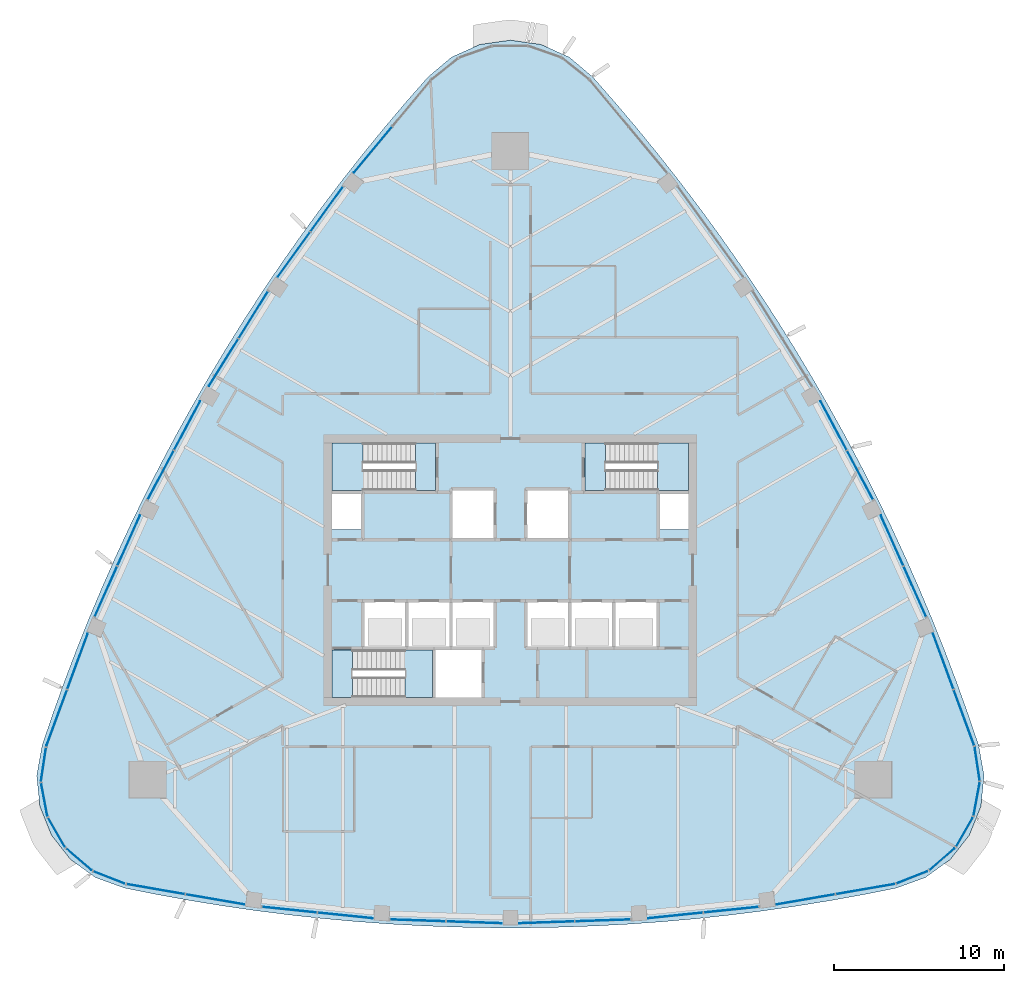
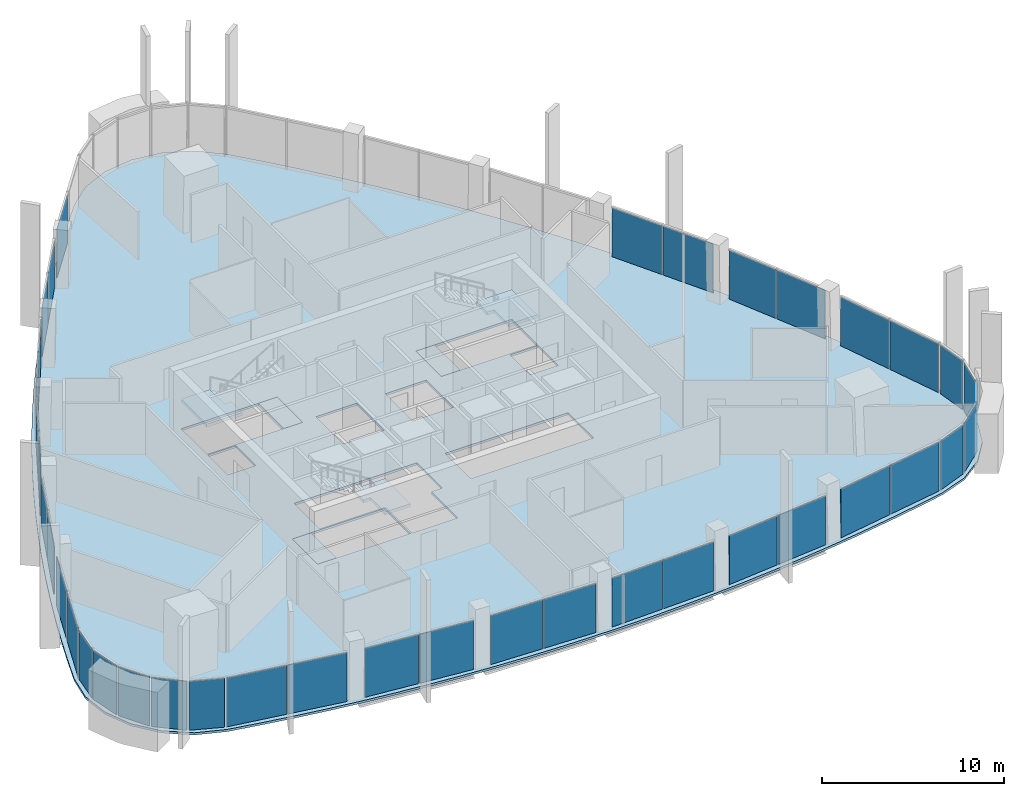
# One storey, part 7 of 18: 39 plates, 7 slabs, 28 elements without a shape of their own.
"""IFC4 building model written with IfcOpenShell, lengths in metres."""

from ifc_helpers import new_model, si_unit, direction, frame, origin, origin_2d, place, context, subcontext, project, spatial, polyline, rectangle, outline, extrude, material, layer, layer_set, type_object, element, aggregate, save


model = new_model("IFC4")

# Units and contexts
model_context = context("Model", 3, precision=1e-05, world=origin(), true_north=direction((0.0, 1.0)))
body_context = subcontext(model_context, "Body", "Model", "MODEL_VIEW")
ifc_project = project(units=[si_unit("LENGTHUNIT", "METRE"), si_unit("AREAUNIT", "SQUARE_METRE"), si_unit("VOLUMEUNIT", "CUBIC_METRE"), si_unit("PLANEANGLEUNIT", "RADIAN"), si_unit("MASSUNIT", "GRAM", prefix="KILO")], contexts=[model_context])

# Site, building, storey
site_placement = place(None, origin())
site = spatial("IfcSite", under=ifc_project, at=site_placement, CompositionType="ELEMENT")
building_placement = place(site_placement, origin())
building = spatial("IfcBuilding", under=site, at=building_placement, Name="Sierra Prisma Convention Tower", CompositionType="ELEMENT")
storey_placement = place(building_placement, frame((0.0, 0.0, 263.0)))
storey = spatial("IfcBuildingStorey", under=building, at=storey_placement, Name="L59", CompositionType="ELEMENT", Elevation=263.0)

# Curtain wall, plates
ifc_material_1 = material(Name="Aluminium and glass curtain wall", Category="aluminium")
ifc_layer_1 = layer(ifc_material_1, 0.179931640625)
ifc_layer_set_1 = layer_set([ifc_layer_1], Name="CW-1 Plain shaft curtain wall")
curtain_wall_type = type_object("IfcCurtainWallType", Name="CW-1 Plain shaft curtain wall", PredefinedType="NOTDEFINED", material=ifc_layer_set_1)
curtain_wall_1_placement = place(storey_placement, origin())
curtain_wall_1 = element("IfcCurtainWall", 1, at=curtain_wall_1_placement, inside=storey, type_object=curtain_wall_type, Name="CW-1 S1 L59", PredefinedType="NOTDEFINED")
ifc_material_2 = material(Name="Tinted glass bronze-grey IGU", Category="glass")
ifc_layer_2 = layer(ifc_material_2, 0.028076171875)
ifc_layer_set_2 = layer_set([ifc_layer_2], Name="CW-1 glass panel")
plate_type = type_object("IfcPlateType", Name="CW-1 glass panel", PredefinedType="CURTAIN_PANEL", material=ifc_layer_set_2)
plate_1_placement = place(storey_placement, frame((-20.897705078125, -18.796142578125, 0.0), z_axis=(0.0, 0.0, 1.0), x_axis=(0.985364429232, -0.170460967981, 0.0)))
plate_1 = element("IfcPlate", 2, at=plate_1_placement, type_object=plate_type, Name="CW-1 panel S1.1", PredefinedType="CURTAIN_PANEL", context=body_context, shape_type="SweptSolid", body=[
    extrude(rectangle(XDim=3.475830078125, YDim=0.028076171875, at=origin_2d()), origin(), (0.0, 0.0, 1.0), 3.280029296875),
])
plate_2_placement = place(storey_placement, frame((-17.403564453125, -19.400634765625, 0.0), z_axis=(0.0, 0.0, 1.0), x_axis=(0.985364429232, -0.170460967981, 0.0)))
plate_2 = element("IfcPlate", 3, at=plate_2_placement, type_object=plate_type, Name="CW-1 panel S1.2", PredefinedType="CURTAIN_PANEL", context=body_context, shape_type="SweptSolid", body=[
    extrude(rectangle(XDim=3.475830078125, YDim=0.028076171875, at=origin_2d()), origin(), (0.0, 0.0, 1.0), 3.280029296875),
])
aggregate(curtain_wall_1, [plate_1, plate_2])

curtain_wall_2_placement = place(storey_placement, origin())
curtain_wall_2 = element("IfcCurtainWall", 4, at=curtain_wall_2_placement, inside=storey, type_object=curtain_wall_type, Name="CW-1 S2 L59", PredefinedType="NOTDEFINED")
plate_3_placement = place(storey_placement, frame((-13.011962890625, -20.009033203125, 0.0), z_axis=(0.0, 0.0, 1.0), x_axis=(0.994722939901, -0.102597625871, 0.0)))
plate_3 = element("IfcPlate", 5, at=plate_3_placement, type_object=plate_type, Name="CW-1 panel S2.1", PredefinedType="CURTAIN_PANEL", context=body_context, shape_type="SweptSolid", body=[
    extrude(rectangle(XDim=3.22900390625, YDim=0.028076171875, at=origin_2d()), origin(), (0.0, 0.0, 1.0), 3.280029296875),
])
plate_4_placement = place(storey_placement, frame((-9.73046875, -20.347412109375, 0.0), z_axis=(0.0, 0.0, 1.0), x_axis=(0.994722939901, -0.102597625871, 0.0)))
plate_4 = element("IfcPlate", 6, at=plate_4_placement, type_object=plate_type, Name="CW-1 panel S2.2", PredefinedType="CURTAIN_PANEL", context=body_context, shape_type="SweptSolid", body=[
    extrude(rectangle(XDim=3.22900390625, YDim=0.028076171875, at=origin_2d()), origin(), (0.0, 0.0, 1.0), 3.280029296875),
])
aggregate(curtain_wall_2, [plate_3, plate_4])

curtain_wall_3_placement = place(storey_placement, origin())
curtain_wall_3 = element("IfcCurtainWall", 7, at=curtain_wall_3_placement, inside=storey, type_object=curtain_wall_type, Name="CW-1 S3 L59", PredefinedType="NOTDEFINED")
plate_5_placement = place(storey_placement, frame((-5.453857421875, -20.64013671875, 0.0), z_axis=(0.0, 0.0, 1.0), x_axis=(0.999413200968, -0.034252791572, 0.0)))
plate_5 = element("IfcPlate", 8, at=plate_5_placement, type_object=plate_type, Name="CW-1 panel S3.1", PredefinedType="CURTAIN_PANEL", context=body_context, shape_type="SweptSolid", body=[
    extrude(rectangle(XDim=3.24462890625, YDim=0.028076171875, at=origin_2d()), origin(), (0.0, 0.0, 1.0), 3.280029296875),
])
plate_6_placement = place(storey_placement, frame((-2.14111328125, -20.753662109375, 0.0), z_axis=(0.0, 0.0, 1.0), x_axis=(0.999413200968, -0.034252791572, 0.0)))
plate_6 = element("IfcPlate", 9, at=plate_6_placement, type_object=plate_type, Name="CW-1 panel S3.2", PredefinedType="CURTAIN_PANEL", context=body_context, shape_type="SweptSolid", body=[
    extrude(rectangle(XDim=3.24462890625, YDim=0.028076171875, at=origin_2d()), origin(), (0.0, 0.0, 1.0), 3.280029296875),
])
aggregate(curtain_wall_3, [plate_5, plate_6])

curtain_wall_4_placement = place(storey_placement, origin())
curtain_wall_4 = element("IfcCurtainWall", 10, at=curtain_wall_4_placement, inside=storey, type_object=curtain_wall_type, Name="CW-1 S4 L59", PredefinedType="NOTDEFINED")
plate_7_placement = place(storey_placement, frame((2.14111328125, -20.753662109375, 0.0), z_axis=(0.0, 0.0, 1.0), x_axis=(0.999413200968, 0.034252791572, 0.0)))
plate_7 = element("IfcPlate", 11, at=plate_7_placement, type_object=plate_type, Name="CW-1 panel S4.1", PredefinedType="CURTAIN_PANEL", context=body_context, shape_type="SweptSolid", body=[
    extrude(rectangle(XDim=3.24462890625, YDim=0.028076171875, at=origin_2d()), origin(), (0.0, 0.0, 1.0), 3.280029296875),
])
plate_8_placement = place(storey_placement, frame((5.453857421875, -20.64013671875, 0.0), z_axis=(0.0, 0.0, 1.0), x_axis=(0.999413200968, 0.034252791572, 0.0)))
plate_8 = element("IfcPlate", 12, at=plate_8_placement, type_object=plate_type, Name="CW-1 panel S4.2", PredefinedType="CURTAIN_PANEL", context=body_context, shape_type="SweptSolid", body=[
    extrude(rectangle(XDim=3.24462890625, YDim=0.028076171875, at=origin_2d()), origin(), (0.0, 0.0, 1.0), 3.280029296875),
])
aggregate(curtain_wall_4, [plate_7, plate_8])

curtain_wall_5_placement = place(storey_placement, origin())
curtain_wall_5 = element("IfcCurtainWall", 13, at=curtain_wall_5_placement, inside=storey, type_object=curtain_wall_type, Name="CW-1 S5 L59", PredefinedType="NOTDEFINED")
plate_9_placement = place(storey_placement, frame((9.73046875, -20.347412109375, 0.0), z_axis=(0.0, 0.0, 1.0), x_axis=(0.994722939901, 0.102597625871, 0.0)))
plate_9 = element("IfcPlate", 14, at=plate_9_placement, type_object=plate_type, Name="CW-1 panel S5.1", PredefinedType="CURTAIN_PANEL", context=body_context, shape_type="SweptSolid", body=[
    extrude(rectangle(XDim=3.22900390625, YDim=0.028076171875, at=origin_2d()), origin(), (0.0, 0.0, 1.0), 3.280029296875),
])
plate_10_placement = place(storey_placement, frame((13.011962890625, -20.009033203125, 0.0), z_axis=(0.0, 0.0, 1.0), x_axis=(0.994722939901, 0.102597625871, 0.0)))
plate_10 = element("IfcPlate", 15, at=plate_10_placement, type_object=plate_type, Name="CW-1 panel S5.2", PredefinedType="CURTAIN_PANEL", context=body_context, shape_type="SweptSolid", body=[
    extrude(rectangle(XDim=3.22900390625, YDim=0.028076171875, at=origin_2d()), origin(), (0.0, 0.0, 1.0), 3.280029296875),
])
aggregate(curtain_wall_5, [plate_9, plate_10])

curtain_wall_6_placement = place(storey_placement, origin())
curtain_wall_6 = element("IfcCurtainWall", 16, at=curtain_wall_6_placement, inside=storey, type_object=curtain_wall_type, Name="CW-1 S6 L59", PredefinedType="NOTDEFINED")
plate_11_placement = place(storey_placement, frame((17.403564453125, -19.400634765625, 0.0), z_axis=(0.0, 0.0, 1.0), x_axis=(0.985364429232, 0.170460967981, 0.0)))
plate_11 = element("IfcPlate", 17, at=plate_11_placement, type_object=plate_type, Name="CW-1 panel S6.1", PredefinedType="CURTAIN_PANEL", context=body_context, shape_type="SweptSolid", body=[
    extrude(rectangle(XDim=3.475830078125, YDim=0.028076171875, at=origin_2d()), origin(), (0.0, 0.0, 1.0), 3.280029296875),
])
plate_12_placement = place(storey_placement, frame((20.897705078125, -18.796142578125, 0.0), z_axis=(0.0, 0.0, 1.0), x_axis=(0.985364429232, 0.170460967981, 0.0)))
plate_12 = element("IfcPlate", 18, at=plate_12_placement, type_object=plate_type, Name="CW-1 panel S6.2", PredefinedType="CURTAIN_PANEL", context=body_context, shape_type="SweptSolid", body=[
    extrude(rectangle(XDim=3.475830078125, YDim=0.028076171875, at=origin_2d()), origin(), (0.0, 0.0, 1.0), 3.280029296875),
])
aggregate(curtain_wall_6, [plate_11, plate_12])

# Curtain wall, plate
curtain_wall_7_placement = place(storey_placement, origin())
curtain_wall_7 = element("IfcCurtainWall", 19, at=curtain_wall_7_placement, inside=storey, type_object=curtain_wall_type, Name="CW-1 SE1 L59", PredefinedType="NOTDEFINED")
plate_13_placement = place(storey_placement, frame((23.656005859375, -18.104736328125, 0.0), z_axis=(0.0, 0.0, 1.0), x_axis=(0.930915409313, 0.365234856913, 0.0)))
plate_13 = element("IfcPlate", 20, at=plate_13_placement, type_object=plate_type, Name="CW-1 panel SE1.1", PredefinedType="CURTAIN_PANEL", context=body_context, shape_type="SweptSolid", body=[
    extrude(rectangle(XDim=1.958984375, YDim=0.028076171875, at=origin_2d()), origin(), (0.0, 0.0, 1.0), 3.280029296875),
])
aggregate(curtain_wall_7, [plate_13])

curtain_wall_8_placement = place(storey_placement, origin())
curtain_wall_8 = element("IfcCurtainWall", 21, at=curtain_wall_8_placement, inside=storey, type_object=curtain_wall_type, Name="CW-1 SE2 L59", PredefinedType="NOTDEFINED")
plate_14_placement = place(storey_placement, frame((25.428466796875, -17.036865234375, 0.0), z_axis=(0.0, 0.0, 1.0), x_axis=(0.758008918232, 0.652244187311, 0.0)))
plate_14 = element("IfcPlate", 22, at=plate_14_placement, type_object=plate_type, Name="CW-1 panel SE2.1", PredefinedType="CURTAIN_PANEL", context=body_context, shape_type="SweptSolid", body=[
    extrude(rectangle(XDim=1.958984375, YDim=0.028076171875, at=origin_2d()), origin(), (0.0, 0.0, 1.0), 3.280029296875),
])
aggregate(curtain_wall_8, [plate_14])

curtain_wall_9_placement = place(storey_placement, origin())
curtain_wall_9 = element("IfcCurtainWall", 23, at=curtain_wall_9_placement, inside=storey, type_object=curtain_wall_type, Name="CW-1 SE3 L59", PredefinedType="NOTDEFINED")
plate_15_placement = place(storey_placement, frame((26.748779296875, -15.443359375, 0.0), z_axis=(0.0, 0.0, 1.0), x_axis=(0.5, 0.866025403784, 0.0)))
plate_15 = element("IfcPlate", 24, at=plate_15_placement, type_object=plate_type, Name="CW-1 panel SE3.1", PredefinedType="CURTAIN_PANEL", context=body_context, shape_type="SweptSolid", body=[
    extrude(rectangle(XDim=1.958984375, YDim=0.028076171875, at=origin_2d()), origin(), (0.0, 0.0, 1.0), 3.280029296875),
])
aggregate(curtain_wall_9, [plate_15])

curtain_wall_10_placement = place(storey_placement, origin())
curtain_wall_10 = element("IfcCurtainWall", 25, at=curtain_wall_10_placement, inside=storey, type_object=curtain_wall_type, Name="CW-1 SE4 L59", PredefinedType="NOTDEFINED")
plate_16_placement = place(storey_placement, frame((27.468505859375, -13.50341796875, 0.0), z_axis=(0.0, 0.0, 1.0), x_axis=(0.185855576566, 0.98257707314, 0.0)))
plate_16 = element("IfcPlate", 26, at=plate_16_placement, type_object=plate_type, Name="CW-1 panel SE4.1", PredefinedType="CURTAIN_PANEL", context=body_context, shape_type="SweptSolid", body=[
    extrude(rectangle(XDim=1.958984375, YDim=0.028076171875, at=origin_2d()), origin(), (0.0, 0.0, 1.0), 3.280029296875),
])
aggregate(curtain_wall_10, [plate_16])

curtain_wall_11_placement = place(storey_placement, origin())
curtain_wall_11 = element("IfcCurtainWall", 27, at=curtain_wall_11_placement, inside=storey, type_object=curtain_wall_type, Name="CW-1 SE5 L59", PredefinedType="NOTDEFINED")
plate_17_placement = place(storey_placement, frame((27.507080078125, -11.434326171875, 0.0), z_axis=(0.0, 0.0, 1.0), x_axis=(-0.149155040222, 0.988813821696, 0.0)))
plate_17 = element("IfcPlate", 28, at=plate_17_placement, type_object=plate_type, Name="CW-1 panel SE5.1", PredefinedType="CURTAIN_PANEL", context=body_context, shape_type="SweptSolid", body=[
    extrude(rectangle(XDim=1.958984375, YDim=0.028076171875, at=origin_2d()), origin(), (0.0, 0.0, 1.0), 3.280029296875),
])
aggregate(curtain_wall_11, [plate_17])

# Curtain wall, plates
curtain_wall_12_placement = place(storey_placement, origin())
curtain_wall_12 = element("IfcCurtainWall", 29, at=curtain_wall_12_placement, inside=storey, type_object=curtain_wall_type, Name="CW-1 NE1 L59", PredefinedType="NOTDEFINED")
plate_18_placement = place(storey_placement, frame((26.726806640625, -8.69970703125, 0.0), z_axis=(0.0, 0.0, 1.0), x_axis=(-0.345058685991, 0.93858111169, 0.0)))
plate_18 = element("IfcPlate", 30, at=plate_18_placement, type_object=plate_type, Name="CW-1 panel NE1.1", PredefinedType="CURTAIN_PANEL", context=body_context, shape_type="SweptSolid", body=[
    extrude(rectangle(XDim=3.475830078125, YDim=0.028076171875, at=origin_2d()), origin(), (0.0, 0.0, 1.0), 3.280029296875),
])
plate_19_placement = place(storey_placement, frame((25.503173828125, -5.371826171875, 0.0), z_axis=(0.0, 0.0, 1.0), x_axis=(-0.345058685991, 0.93858111169, 0.0)))
plate_19 = element("IfcPlate", 31, at=plate_19_placement, type_object=plate_type, Name="CW-1 panel NE1.2", PredefinedType="CURTAIN_PANEL", context=body_context, shape_type="SweptSolid", body=[
    extrude(rectangle(XDim=3.475830078125, YDim=0.028076171875, at=origin_2d()), origin(), (0.0, 0.0, 1.0), 3.280029296875),
])
aggregate(curtain_wall_12, [plate_18, plate_19])

curtain_wall_13_placement = place(storey_placement, origin())
curtain_wall_13 = element("IfcCurtainWall", 32, at=curtain_wall_13_placement, inside=storey, type_object=curtain_wall_type, Name="CW-1 NE2 L59", PredefinedType="NOTDEFINED")
plate_20_placement = place(storey_placement, frame((23.834228515625, -1.26416015625, 0.0), z_axis=(0.0, 0.0, 1.0), x_axis=(-0.408509319578, 0.912754148617, 0.0)))
plate_20 = element("IfcPlate", 33, at=plate_20_placement, type_object=plate_type, Name="CW-1 panel NE2.1", PredefinedType="CURTAIN_PANEL", context=body_context, shape_type="SweptSolid", body=[
    extrude(rectangle(XDim=3.22900390625, YDim=0.028076171875, at=origin_2d()), origin(), (0.0, 0.0, 1.0), 3.280029296875),
])
plate_21_placement = place(storey_placement, frame((22.486572265625, 1.746826171875, 0.0), z_axis=(0.0, 0.0, 1.0), x_axis=(-0.408509319578, 0.912754148617, 0.0)))
plate_21 = element("IfcPlate", 34, at=plate_21_placement, type_object=plate_type, Name="CW-1 panel NE2.2", PredefinedType="CURTAIN_PANEL", context=body_context, shape_type="SweptSolid", body=[
    extrude(rectangle(XDim=3.22900390625, YDim=0.028076171875, at=origin_2d()), origin(), (0.0, 0.0, 1.0), 3.280029296875),
])
aggregate(curtain_wall_13, [plate_20, plate_21])

curtain_wall_14_placement = place(storey_placement, origin())
curtain_wall_14 = element("IfcCurtainWall", 35, at=curtain_wall_14_placement, inside=storey, type_object=curtain_wall_type, Name="CW-1 NE3 L59", PredefinedType="NOTDEFINED")
plate_22_placement = place(storey_placement, frame((20.60205078125, 5.5966796875, 0.0), z_axis=(0.0, 0.0, 1.0), x_axis=(-0.470042812832, 0.882643616702, 0.0)))
plate_22 = element("IfcPlate", 36, at=plate_22_placement, type_object=plate_type, Name="CW-1 panel NE3.1", PredefinedType="CURTAIN_PANEL", context=body_context, shape_type="SweptSolid", body=[
    extrude(rectangle(XDim=3.244873046875, YDim=0.028076171875, at=origin_2d()), origin(), (0.0, 0.0, 1.0), 3.280029296875),
])
plate_23_placement = place(storey_placement, frame((19.0439453125, 8.5224609375, 0.0), z_axis=(0.0, 0.0, 1.0), x_axis=(-0.470042812832, 0.882643616702, 0.0)))
plate_23 = element("IfcPlate", 37, at=plate_23_placement, type_object=plate_type, Name="CW-1 panel NE3.2", PredefinedType="CURTAIN_PANEL", context=body_context, shape_type="SweptSolid", body=[
    extrude(rectangle(XDim=3.244873046875, YDim=0.028076171875, at=origin_2d()), origin(), (0.0, 0.0, 1.0), 3.280029296875),
])
aggregate(curtain_wall_14, [plate_22, plate_23])

# Curtain wall, plate
curtain_wall_15_placement = place(storey_placement, origin())
curtain_wall_15 = element("IfcCurtainWall", 38, at=curtain_wall_15_placement, inside=storey, type_object=curtain_wall_type, Name="CW-1 NW1 L59", PredefinedType="NOTDEFINED")
plate_24_placement = place(storey_placement, frame((-8.099609375, 24.772216796875, 0.0), z_axis=(0.0, 0.0, 1.0), x_axis=(-0.640305743241, -0.76812014371, 0.0)))
plate_24 = element("IfcPlate", 39, at=plate_24_placement, type_object=plate_type, Name="CW-1 panel NW1.2", PredefinedType="CURTAIN_PANEL", context=body_context, shape_type="SweptSolid", body=[
    extrude(rectangle(XDim=3.475830078125, YDim=0.028076171875, at=origin_2d()), origin(), (0.0, 0.0, 1.0), 3.280029296875),
])
aggregate(curtain_wall_15, [plate_24])

# Curtain wall, plates
curtain_wall_16_placement = place(storey_placement, origin())
curtain_wall_16 = element("IfcCurtainWall", 40, at=curtain_wall_16_placement, inside=storey, type_object=curtain_wall_type, Name="CW-1 NW2 L59", PredefinedType="NOTDEFINED")
plate_25_placement = place(storey_placement, frame((-10.822265625, 21.273193359375, 0.0), z_axis=(0.0, 0.0, 1.0), x_axis=(-0.586213620323, -0.810156522746, 0.0)))
plate_25 = element("IfcPlate", 41, at=plate_25_placement, type_object=plate_type, Name="CW-1 panel NW2.1", PredefinedType="CURTAIN_PANEL", context=body_context, shape_type="SweptSolid", body=[
    extrude(rectangle(XDim=3.22900390625, YDim=0.028076171875, at=origin_2d()), origin(), (0.0, 0.0, 1.0), 3.280029296875),
])
plate_26_placement = place(storey_placement, frame((-12.756103515625, 18.6005859375, 0.0), z_axis=(0.0, 0.0, 1.0), x_axis=(-0.586213620323, -0.810156522746, 0.0)))
plate_26 = element("IfcPlate", 42, at=plate_26_placement, type_object=plate_type, Name="CW-1 panel NW2.2", PredefinedType="CURTAIN_PANEL", context=body_context, shape_type="SweptSolid", body=[
    extrude(rectangle(XDim=3.22900390625, YDim=0.028076171875, at=origin_2d()), origin(), (0.0, 0.0, 1.0), 3.280029296875),
])
aggregate(curtain_wall_16, [plate_25, plate_26])

curtain_wall_17_placement = place(storey_placement, origin())
curtain_wall_17 = element("IfcCurtainWall", 43, at=curtain_wall_17_placement, inside=storey, type_object=curtain_wall_type, Name="CW-1 NW3 L59", PredefinedType="NOTDEFINED")
plate_27_placement = place(storey_placement, frame((-15.14794921875, 15.04345703125, 0.0), z_axis=(0.0, 0.0, 1.0), x_axis=(-0.529370388136, -0.84839082513, 0.0)))
plate_27 = element("IfcPlate", 44, at=plate_27_placement, type_object=plate_type, Name="CW-1 panel NW3.1", PredefinedType="CURTAIN_PANEL", context=body_context, shape_type="SweptSolid", body=[
    extrude(rectangle(XDim=3.244873046875, YDim=0.028076171875, at=origin_2d()), origin(), (0.0, 0.0, 1.0), 3.280029296875),
])
plate_28_placement = place(storey_placement, frame((-16.90283203125, 12.231201171875, 0.0), z_axis=(0.0, 0.0, 1.0), x_axis=(-0.529370388136, -0.84839082513, 0.0)))
plate_28 = element("IfcPlate", 45, at=plate_28_placement, type_object=plate_type, Name="CW-1 panel NW3.2", PredefinedType="CURTAIN_PANEL", context=body_context, shape_type="SweptSolid", body=[
    extrude(rectangle(XDim=3.244873046875, YDim=0.028076171875, at=origin_2d()), origin(), (0.0, 0.0, 1.0), 3.280029296875),
])
aggregate(curtain_wall_17, [plate_27, plate_28])

curtain_wall_18_placement = place(storey_placement, origin())
curtain_wall_18 = element("IfcCurtainWall", 46, at=curtain_wall_18_placement, inside=storey, type_object=curtain_wall_type, Name="CW-1 NW4 L59", PredefinedType="NOTDEFINED")
plate_29_placement = place(storey_placement, frame((-19.0439453125, 8.522705078125, 0.0), z_axis=(0.0, 0.0, 1.0), x_axis=(-0.470042812832, -0.882643616702, 0.0)))
plate_29 = element("IfcPlate", 47, at=plate_29_placement, type_object=plate_type, Name="CW-1 panel NW4.1", PredefinedType="CURTAIN_PANEL", context=body_context, shape_type="SweptSolid", body=[
    extrude(rectangle(XDim=3.244873046875, YDim=0.028076171875, at=origin_2d()), origin(), (0.0, 0.0, 1.0), 3.280029296875),
])
plate_30_placement = place(storey_placement, frame((-20.60205078125, 5.596923828125, 0.0), z_axis=(0.0, 0.0, 1.0), x_axis=(-0.470042812832, -0.882643616702, 0.0)))
plate_30 = element("IfcPlate", 48, at=plate_30_placement, type_object=plate_type, Name="CW-1 panel NW4.2", PredefinedType="CURTAIN_PANEL", context=body_context, shape_type="SweptSolid", body=[
    extrude(rectangle(XDim=3.244873046875, YDim=0.028076171875, at=origin_2d()), origin(), (0.0, 0.0, 1.0), 3.280029296875),
])
aggregate(curtain_wall_18, [plate_29, plate_30])

curtain_wall_19_placement = place(storey_placement, origin())
curtain_wall_19 = element("IfcCurtainWall", 49, at=curtain_wall_19_placement, inside=storey, type_object=curtain_wall_type, Name="CW-1 NW5 L59", PredefinedType="NOTDEFINED")
plate_31_placement = place(storey_placement, frame((-22.486572265625, 1.746826171875, 0.0), z_axis=(0.0, 0.0, 1.0), x_axis=(-0.408509319578, -0.912754148617, 0.0)))
plate_31 = element("IfcPlate", 50, at=plate_31_placement, type_object=plate_type, Name="CW-1 panel NW5.1", PredefinedType="CURTAIN_PANEL", context=body_context, shape_type="SweptSolid", body=[
    extrude(rectangle(XDim=3.228759765625, YDim=0.028076171875, at=origin_2d()), origin(), (0.0, 0.0, 1.0), 3.280029296875),
])
plate_32_placement = place(storey_placement, frame((-23.834228515625, -1.26416015625, 0.0), z_axis=(0.0, 0.0, 1.0), x_axis=(-0.408509319578, -0.912754148617, 0.0)))
plate_32 = element("IfcPlate", 51, at=plate_32_placement, type_object=plate_type, Name="CW-1 panel NW5.2", PredefinedType="CURTAIN_PANEL", context=body_context, shape_type="SweptSolid", body=[
    extrude(rectangle(XDim=3.228759765625, YDim=0.028076171875, at=origin_2d()), origin(), (0.0, 0.0, 1.0), 3.280029296875),
])
aggregate(curtain_wall_19, [plate_31, plate_32])

curtain_wall_20_placement = place(storey_placement, origin())
curtain_wall_20 = element("IfcCurtainWall", 52, at=curtain_wall_20_placement, inside=storey, type_object=curtain_wall_type, Name="CW-1 NW6 L59", PredefinedType="NOTDEFINED")
plate_33_placement = place(storey_placement, frame((-25.503173828125, -5.371826171875, 0.0), z_axis=(0.0, 0.0, 1.0), x_axis=(-0.345058685991, -0.93858111169, 0.0)))
plate_33 = element("IfcPlate", 53, at=plate_33_placement, type_object=plate_type, Name="CW-1 panel NW6.1", PredefinedType="CURTAIN_PANEL", context=body_context, shape_type="SweptSolid", body=[
    extrude(rectangle(XDim=3.475830078125, YDim=0.028076171875, at=origin_2d()), origin(), (0.0, 0.0, 1.0), 3.280029296875),
])
plate_34_placement = place(storey_placement, frame((-26.726806640625, -8.69970703125, 0.0), z_axis=(0.0, 0.0, 1.0), x_axis=(-0.345058685991, -0.93858111169, 0.0)))
plate_34 = element("IfcPlate", 54, at=plate_34_placement, type_object=plate_type, Name="CW-1 panel NW6.2", PredefinedType="CURTAIN_PANEL", context=body_context, shape_type="SweptSolid", body=[
    extrude(rectangle(XDim=3.475830078125, YDim=0.028076171875, at=origin_2d()), origin(), (0.0, 0.0, 1.0), 3.280029296875),
])
aggregate(curtain_wall_20, [plate_33, plate_34])

# Curtain wall, plate
curtain_wall_21_placement = place(storey_placement, origin())
curtain_wall_21 = element("IfcCurtainWall", 55, at=curtain_wall_21_placement, inside=storey, type_object=curtain_wall_type, Name="CW-1 SW1 L59", PredefinedType="NOTDEFINED")
plate_35_placement = place(storey_placement, frame((-27.507080078125, -11.434326171875, 0.0), z_axis=(0.0, 0.0, 1.0), x_axis=(-0.149155040222, -0.988813821696, 0.0)))
plate_35 = element("IfcPlate", 56, at=plate_35_placement, type_object=plate_type, Name="CW-1 panel SW1.1", PredefinedType="CURTAIN_PANEL", context=body_context, shape_type="SweptSolid", body=[
    extrude(rectangle(XDim=1.958984375, YDim=0.028076171875, at=origin_2d()), origin(), (0.0, 0.0, 1.0), 3.280029296875),
])
aggregate(curtain_wall_21, [plate_35])

curtain_wall_22_placement = place(storey_placement, origin())
curtain_wall_22 = element("IfcCurtainWall", 57, at=curtain_wall_22_placement, inside=storey, type_object=curtain_wall_type, Name="CW-1 SW2 L59", PredefinedType="NOTDEFINED")
plate_36_placement = place(storey_placement, frame((-27.468505859375, -13.50341796875, 0.0), z_axis=(0.0, 0.0, 1.0), x_axis=(0.185855576566, -0.98257707314, 0.0)))
plate_36 = element("IfcPlate", 58, at=plate_36_placement, type_object=plate_type, Name="CW-1 panel SW2.1", PredefinedType="CURTAIN_PANEL", context=body_context, shape_type="SweptSolid", body=[
    extrude(rectangle(XDim=1.958984375, YDim=0.028076171875, at=origin_2d()), origin(), (0.0, 0.0, 1.0), 3.280029296875),
])
aggregate(curtain_wall_22, [plate_36])

curtain_wall_23_placement = place(storey_placement, origin())
curtain_wall_23 = element("IfcCurtainWall", 59, at=curtain_wall_23_placement, inside=storey, type_object=curtain_wall_type, Name="CW-1 SW3 L59", PredefinedType="NOTDEFINED")
plate_37_placement = place(storey_placement, frame((-26.748779296875, -15.443359375, 0.0), z_axis=(0.0, 0.0, 1.0), x_axis=(0.5, -0.866025403784, 0.0)))
plate_37 = element("IfcPlate", 60, at=plate_37_placement, type_object=plate_type, Name="CW-1 panel SW3.1", PredefinedType="CURTAIN_PANEL", context=body_context, shape_type="SweptSolid", body=[
    extrude(rectangle(XDim=1.958984375, YDim=0.028076171875, at=origin_2d()), origin(), (0.0, 0.0, 1.0), 3.280029296875),
])
aggregate(curtain_wall_23, [plate_37])

curtain_wall_24_placement = place(storey_placement, origin())
curtain_wall_24 = element("IfcCurtainWall", 61, at=curtain_wall_24_placement, inside=storey, type_object=curtain_wall_type, Name="CW-1 SW4 L59", PredefinedType="NOTDEFINED")
plate_38_placement = place(storey_placement, frame((-25.428466796875, -17.036865234375, 0.0), z_axis=(0.0, 0.0, 1.0), x_axis=(0.758008918232, -0.652244187311, 0.0)))
plate_38 = element("IfcPlate", 62, at=plate_38_placement, type_object=plate_type, Name="CW-1 panel SW4.1", PredefinedType="CURTAIN_PANEL", context=body_context, shape_type="SweptSolid", body=[
    extrude(rectangle(XDim=1.958984375, YDim=0.028076171875, at=origin_2d()), origin(), (0.0, 0.0, 1.0), 3.280029296875),
])
aggregate(curtain_wall_24, [plate_38])

curtain_wall_25_placement = place(storey_placement, origin())
curtain_wall_25 = element("IfcCurtainWall", 63, at=curtain_wall_25_placement, inside=storey, type_object=curtain_wall_type, Name="CW-1 SW5 L59", PredefinedType="NOTDEFINED")
plate_39_placement = place(storey_placement, frame((-23.656005859375, -18.104736328125, 0.0), z_axis=(0.0, 0.0, 1.0), x_axis=(0.930915409313, -0.365234856913, 0.0)))
plate_39 = element("IfcPlate", 64, at=plate_39_placement, type_object=plate_type, Name="CW-1 panel SW5.1", PredefinedType="CURTAIN_PANEL", context=body_context, shape_type="SweptSolid", body=[
    extrude(rectangle(XDim=1.958984375, YDim=0.028076171875, at=origin_2d()), origin(), (0.0, 0.0, 1.0), 3.280029296875),
])
aggregate(curtain_wall_25, [plate_39])

# Slab
ifc_material_3 = material(Name="Concrete C35/45", Category="concrete")
ifc_layer_3 = layer(ifc_material_3, 0.14990234375)
ifc_layer_set_3 = layer_set([ifc_layer_3], Name="Composite floor slab 150")
slab_type_1 = type_object("IfcSlabType", Name="Composite floor slab 150", PredefinedType="FLOOR", material=ifc_layer_set_3)
slab_1_placement = place(storey_placement, frame((0.0, 0.0, -0.14990234375)))
element("IfcSlab", 65, at=slab_1_placement, inside=storey, type_object=slab_type_1, Name="Floor slab L59 floor", PredefinedType="FLOOR", context=body_context, shape_type="SweptSolid", body=[
    extrude(outline(polyline([(-22.730224609375, -18.732666015625), (-20.778076171875, -19.12158203125), (-18.819091796875, -19.4755859375), (-16.8544921875, -19.794189453125), (-14.88427734375, -20.077880859375), (-12.9091796875, -20.326416015625), (-10.93017578125, -20.53955078125), (-8.94775390625, -20.717041015625), (-6.962158203125, -20.859375), (-4.974609375, -20.966064453125), (-2.9853515625, -21.037109375), (-0.995361328125, -21.07275390625), (0.995361328125, -21.07275390625), (2.9853515625, -21.037109375), (4.974609375, -20.966064453125), (6.962158203125, -20.859375), (8.94775390625, -20.717041015625), (10.93017578125, -20.53955078125), (12.9091796875, -20.326416015625), (14.88427734375, -20.077880859375), (16.8544921875, -19.794189453125), (18.819091796875, -19.4755859375), (20.778076171875, -19.12158203125), (22.730224609375, -18.732666015625), (24.44384765625, -18.115234375), (25.919677734375, -17.04736328125), (27.0419921875, -15.61279296875), (27.723388671875, -13.92333984375), (27.91015625, -12.111328125), (27.588134765625, -10.318603515625), (26.94873046875, -8.43359375), (26.27587890625, -6.56005859375), (25.569580078125, -4.69921875), (24.830078125, -2.85107421875), (24.057861328125, -1.0166015625), (23.252685546875, 0.803955078125), (22.415283203125, 2.609619140625), (21.5458984375, 4.400146484375), (20.644287109375, 6.1748046875), (19.71142578125, 7.93310546875), (18.7470703125, 9.67431640625), (17.751953125, 11.398193359375), (16.72607421875, 13.10400390625), (15.669677734375, 14.791259765625), (14.58349609375, 16.459228515625), (13.4677734375, 18.107421875), (12.322509765625, 19.735595703125), (11.1484375, 21.343017578125), (9.94580078125, 22.92919921875), (8.715087890625, 24.493408203125), (7.45654296875, 26.03564453125), (6.170654296875, 27.554931640625), (4.85791015625, 29.05126953125), (3.46630859375, 30.2265625), (1.8037109375, 30.970703125), (0.0, 31.225341796875), (-1.8037109375, 30.970703125), (-3.46630859375, 30.2265625), (-4.85791015625, 29.05126953125), (-6.170654296875, 27.554931640625), (-7.45654296875, 26.03564453125), (-8.715087890625, 24.493408203125), (-9.94580078125, 22.92919921875), (-11.1484375, 21.343017578125), (-12.322509765625, 19.735595703125), (-13.4677734375, 18.107421875), (-14.58349609375, 16.459228515625), (-15.669677734375, 14.791259765625), (-16.72607421875, 13.10400390625), (-17.751953125, 11.398193359375), (-18.7470703125, 9.67431640625), (-19.71142578125, 7.93310546875), (-20.644287109375, 6.1748046875), (-21.5458984375, 4.400146484375), (-22.415283203125, 2.609619140625), (-23.252685546875, 0.803955078125), (-24.057861328125, -1.0166015625), (-24.830078125, -2.85107421875), (-25.569580078125, -4.69921875), (-26.27587890625, -6.56005859375), (-26.94873046875, -8.43359375), (-27.588134765625, -10.318603515625), (-27.91015625, -12.111328125), (-27.723388671875, -13.92333984375), (-27.0419921875, -15.61279296875), (-25.919677734375, -17.04736328125), (-24.44384765625, -18.115234375), (-22.730224609375, -18.732666015625)]), holes=[polyline([(-4.60009765625, -4.699951171875), (-4.60009765625, -7.5), (-10.5, -7.5), (-10.5, -4.699951171875), (-4.60009765625, -4.699951171875)]), polyline([(-4.5, -7.5), (-4.5, -4.60009765625), (-6.10009765625, -4.60009765625), (-8.699951171875, -4.60009765625), (-8.699951171875, -1.800048828125), (-6.10009765625, -1.800048828125), (-3.5, -1.800048828125), (-0.89990234375, -1.800048828125), (-0.89990234375, -4.60009765625), (-1.60009765625, -4.60009765625), (-1.60009765625, -7.5), (-4.5, -7.5)]), polyline([(-8.699951171875, 2.39990234375), (-10.5, 2.39990234375), (-10.5, 4.60009765625), (-8.699951171875, 4.60009765625), (-8.699951171875, 2.39990234375)]), polyline([(-4.39990234375, 4.699951171875), (-10.5, 4.699951171875), (-10.5, 7.5), (-4.39990234375, 7.5), (-4.39990234375, 4.699951171875)]), polyline([(3.5, -1.800048828125), (6.10009765625, -1.800048828125), (8.699951171875, -1.800048828125), (8.699951171875, -4.60009765625), (6.10009765625, -4.60009765625), (3.5, -4.60009765625), (0.89990234375, -4.60009765625), (0.89990234375, -1.800048828125), (3.5, -1.800048828125)]), polyline([(-0.89990234375, 1.800048828125), (-3.5, 1.800048828125), (-3.5, 4.800048828125), (-0.89990234375, 4.800048828125), (-0.89990234375, 1.800048828125)]), polyline([(3.5, 1.800048828125), (0.89990234375, 1.800048828125), (0.89990234375, 4.800048828125), (3.5, 4.800048828125), (3.5, 1.800048828125)]), polyline([(10.5, 2.39990234375), (8.699951171875, 2.39990234375), (8.699951171875, 4.60009765625), (10.5, 4.60009765625), (10.5, 2.39990234375)]), polyline([(10.5, 4.699951171875), (4.39990234375, 4.699951171875), (4.39990234375, 7.5), (10.5, 7.5), (10.5, 4.699951171875)])]), origin(), (0.0, 0.0, 1.0), 0.14990234375),
])

# Stair, slab
ifc_material_4 = material(Name="Concrete C30/37", Category="concrete")
stair_type = type_object("IfcStairType", Name="Stair dog-leg 1200 RC", PredefinedType="HALF_TURN_STAIR", material=ifc_material_4)
stair_1_placement = place(storey_placement, origin())
stair_1 = element("IfcStair", 66, at=stair_1_placement, inside=storey, type_object=stair_type, Name="L59 S1", PredefinedType="HALF_TURN_STAIR")
ifc_material_5 = material(Name="Concrete C35/45", Category="concrete")
ifc_layer_4 = layer(ifc_material_5, 0.199951171875)
ifc_layer_set_4 = layer_set([ifc_layer_4], Name="Stair landing slab")
slab_type_2 = type_object("IfcSlabType", Name="Stair landing slab", PredefinedType="LANDING", material=ifc_layer_set_4)
slab_2_placement = place(storey_placement, frame((0.0, 0.0, 1.800048828125)))
slab_2 = element("IfcSlab", 67, at=slab_2_placement, type_object=slab_type_2, Name="S1 landing 1", PredefinedType="LANDING", context=body_context, shape_type="SweptSolid", body=[
    extrude(outline(polyline([(-4.60009765625, -4.699951171875), (-4.60009765625, -7.5), (-6.221923828125, -7.5), (-6.221923828125, -5.89990234375), (-6.669921875, -5.89990234375), (-6.669921875, -4.699951171875), (-4.60009765625, -4.699951171875)])), origin(), (0.0, 0.0, 1.0), 0.199951171875),
])
aggregate(stair_1, [slab_2])

# Slab
slab_3_placement = place(storey_placement, frame((0.0, 0.0, -0.199951171875)))
element("IfcSlab", 68, at=slab_3_placement, inside=storey, type_object=slab_type_2, Name="S1 floor landing L59", PredefinedType="LANDING", context=body_context, shape_type="SweptSolid", body=[
    extrude(outline(polyline([(-10.5, -7.5), (-9.298095703125, -7.5), (-9.298095703125, -4.699951171875), (-10.5, -4.699951171875), (-10.5, -7.5)])), origin(), (0.0, 0.0, 1.0), 0.199951171875),
])

# Stair, slab
stair_2_placement = place(storey_placement, origin())
stair_2 = element("IfcStair", 69, at=stair_2_placement, inside=storey, type_object=stair_type, Name="L59 S3", PredefinedType="HALF_TURN_STAIR")
slab_4_placement = place(storey_placement, frame((0.0, 0.0, 1.800048828125)))
slab_4 = element("IfcSlab", 70, at=slab_4_placement, type_object=slab_type_2, Name="S3 landing 1", PredefinedType="LANDING", context=body_context, shape_type="SweptSolid", body=[
    extrude(outline(polyline([(-8.22998046875, 5.89990234375), (-8.22998046875, 4.699951171875), (-10.5, 4.699951171875), (-10.5, 7.5), (-8.677978515625, 7.5), (-8.677978515625, 5.89990234375), (-8.22998046875, 5.89990234375)])), origin(), (0.0, 0.0, 1.0), 0.199951171875),
])
aggregate(stair_2, [slab_4])

# Slab
slab_5_placement = place(storey_placement, frame((0.0, 0.0, -0.199951171875)))
element("IfcSlab", 71, at=slab_5_placement, inside=storey, type_object=slab_type_2, Name="S3 floor landing L59", PredefinedType="LANDING", context=body_context, shape_type="SweptSolid", body=[
    extrude(outline(polyline([(-4.39990234375, 7.5), (-5.60205078125, 7.5), (-5.60205078125, 4.699951171875), (-4.39990234375, 4.699951171875), (-4.39990234375, 7.5)])), origin(), (0.0, 0.0, 1.0), 0.199951171875),
])

# Stair, slab
stair_3_placement = place(storey_placement, origin())
stair_3 = element("IfcStair", 72, at=stair_3_placement, inside=storey, type_object=stair_type, Name="L59 S4", PredefinedType="HALF_TURN_STAIR")
slab_6_placement = place(storey_placement, frame((0.0, 0.0, 1.800048828125)))
slab_6 = element("IfcSlab", 73, at=slab_6_placement, type_object=slab_type_2, Name="S4 landing 1", PredefinedType="LANDING", context=body_context, shape_type="SweptSolid", body=[
    extrude(outline(polyline([(10.5, 7.5), (10.5, 4.699951171875), (8.677978515625, 4.699951171875), (8.677978515625, 6.300048828125), (8.22998046875, 6.300048828125), (8.22998046875, 7.5), (10.5, 7.5)])), origin(), (0.0, 0.0, 1.0), 0.199951171875),
])
aggregate(stair_3, [slab_6])

# Slab
slab_7_placement = place(storey_placement, frame((0.0, 0.0, -0.199951171875)))
element("IfcSlab", 74, at=slab_7_placement, inside=storey, type_object=slab_type_2, Name="S4 floor landing L59", PredefinedType="LANDING", context=body_context, shape_type="SweptSolid", body=[
    extrude(outline(polyline([(4.39990234375, 4.699951171875), (5.60205078125, 4.699951171875), (5.60205078125, 7.5), (4.39990234375, 7.5), (4.39990234375, 4.699951171875)])), origin(), (0.0, 0.0, 1.0), 0.199951171875),
])

save(model, "model.ifc")
